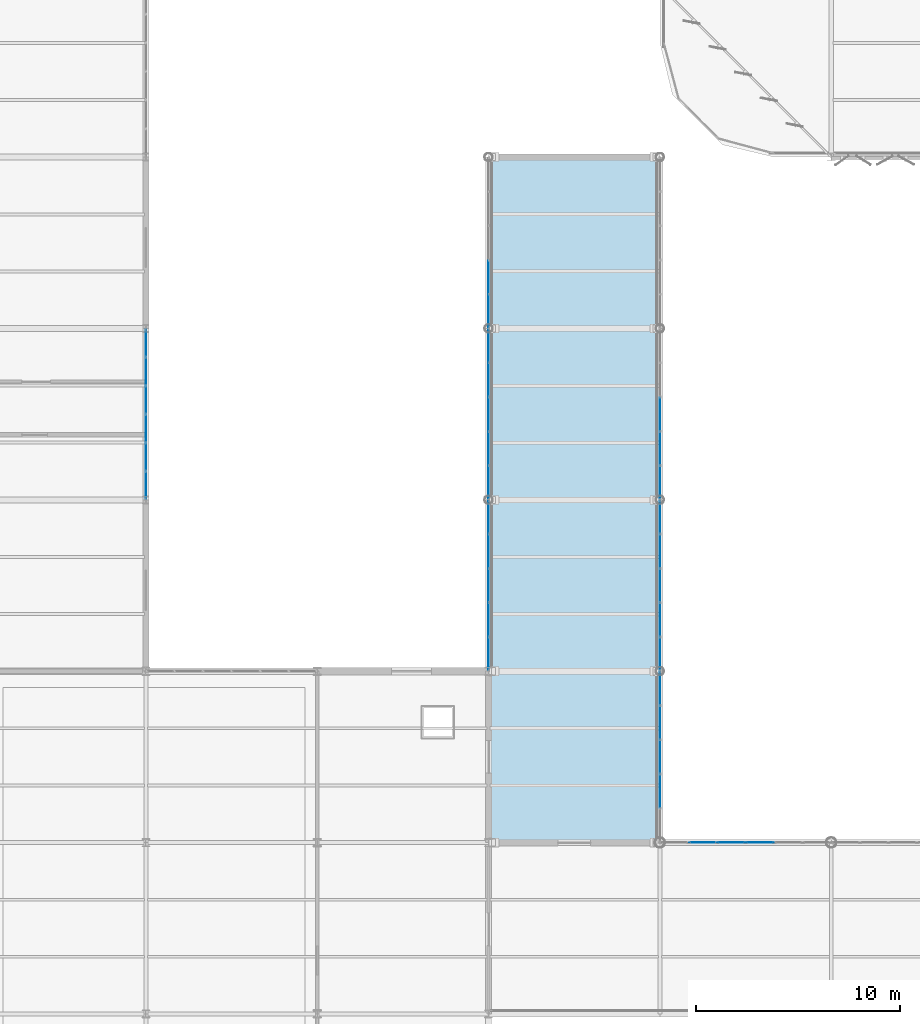
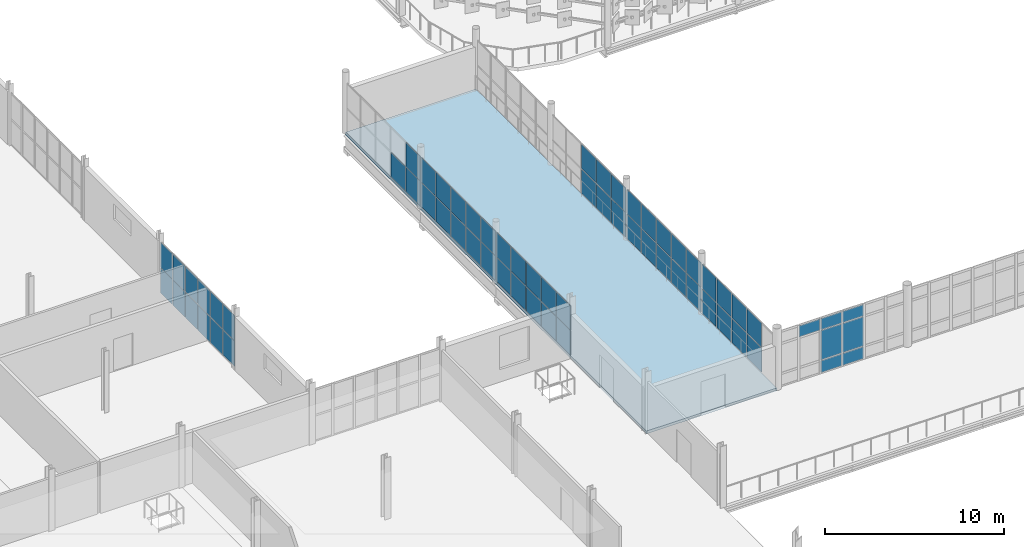
# One storey, part 114 of 163: 66 plates, 1 slab, 8 elements without a shape of their own.
"""IFC4 building model written with IfcOpenShell, lengths in metres."""

from ifc_helpers import new_model, si_unit, direction, frame, origin, origin_2d, place, context, subcontext, project, spatial, polyline, rectangle, outline, extrude, material, layer, layer_set, type_object, element, aggregate, save


model = new_model("IFC4")

# Units and contexts
model_context = context("Model", 3, precision=1e-05, world=origin(), true_north=direction((0.0, 1.0)))
body_context = subcontext(model_context, "Body", "Model", "MODEL_VIEW")
ifc_project = project(units=[si_unit("LENGTHUNIT", "METRE"), si_unit("AREAUNIT", "SQUARE_METRE"), si_unit("VOLUMEUNIT", "CUBIC_METRE"), si_unit("PLANEANGLEUNIT", "RADIAN"), si_unit("MASSUNIT", "GRAM", prefix="KILO")], contexts=[model_context])

# Site, building, storey
site_placement = place(None, origin())
site = spatial("IfcSite", under=ifc_project, at=site_placement, CompositionType="ELEMENT")
building_placement = place(site_placement, origin())
building = spatial("IfcBuilding", under=site, at=building_placement, Name="Qalvenar Corner Mobility Hub", CompositionType="ELEMENT")
storey_placement = place(building_placement, frame((0.0, 0.0, 4.800048828125)))
storey = spatial("IfcBuildingStorey", under=building, at=storey_placement, Name="L01", CompositionType="ELEMENT", Elevation=4.800048828125)

# Curtain wall, plates
ifc_material_1 = material(Name="Anodised Aluminium and Low-E Glazing", Category="aluminium")
ifc_layer_1 = layer(ifc_material_1, 0.179931640625)
ifc_layer_set_1 = layer_set([ifc_layer_1], Name="Anodised Aluminium and Low-E Glazing")
curtain_wall_type_1 = type_object("IfcCurtainWallType", Name="CW-CONC-84X42", PredefinedType="NOTDEFINED", material=ifc_layer_set_1)
curtain_wall_1_placement = place(storey_placement, origin())
curtain_wall_1 = element("IfcCurtainWall", 1, at=curtain_wall_1_placement, inside=storey, type_object=curtain_wall_type_1, Name="Glazed Curtain Wall CW-V1-L01-N1", PredefinedType="NOTDEFINED")
ifc_material_2 = material(Name="Solar-Control Low-E Double Glazing", Category="glass")
ifc_layer_2 = layer(ifc_material_2, 0.028076171875)
ifc_layer_set_2 = layer_set([ifc_layer_2], Name="Solar-Control Low-E Double Glazing")
plate_type = type_object("IfcPlateType", Name="PLT-CWP-GLZ1", PredefinedType="CURTAIN_PANEL", material=ifc_layer_set_2)
plate_1_placement = place(storey_placement, frame((63.699951171875, 33.60009765625, 0.054931640625), z_axis=(0.0, 0.0, 1.0), x_axis=(-1.0, 0.0, 0.0)))
plate_1 = element("IfcPlate", 2, at=plate_1_placement, type_object=plate_type, Name="CW-02 panel 3.1", PredefinedType="CURTAIN_PANEL", context=body_context, shape_type="SweptSolid", body=[
    extrude(rectangle(XDim=1.340087890625, YDim=0.028076171875, at=origin_2d()), origin(), (0.0, 0.0, 1.0), 0.8173828125),
])
plate_2_placement = place(storey_placement, frame((63.699951171875, 33.60009765625, 0.927490234375), z_axis=(0.0, 0.0, 1.0), x_axis=(-1.0, 0.0, 0.0)))
plate_2 = element("IfcPlate", 3, at=plate_2_placement, type_object=plate_type, Name="CW-02 panel 3.2", PredefinedType="CURTAIN_PANEL", context=body_context, shape_type="SweptSolid", body=[
    extrude(rectangle(XDim=1.340087890625, YDim=0.028076171875, at=origin_2d()), origin(), (0.0, 0.0, 1.0), 1.9951171875),
])
plate_3_placement = place(storey_placement, frame((63.699951171875, 33.60009765625, 2.977294921875), z_axis=(0.0, 0.0, 1.0), x_axis=(-1.0, 0.0, 0.0)))
plate_3 = element("IfcPlate", 4, at=plate_3_placement, type_object=plate_type, Name="CW-02 panel 3.3", PredefinedType="CURTAIN_PANEL", context=body_context, shape_type="SweptSolid", body=[
    extrude(rectangle(XDim=1.340087890625, YDim=0.028076171875, at=origin_2d()), origin(), (0.0, 0.0, 1.0), 0.767578125),
])
plate_4_placement = place(storey_placement, frame((62.300048828125, 33.60009765625, 0.054931640625), z_axis=(0.0, 0.0, 1.0), x_axis=(-1.0, 0.0, 0.0)))
plate_4 = element("IfcPlate", 5, at=plate_4_placement, type_object=plate_type, Name="CW-02 panel 4.1", PredefinedType="CURTAIN_PANEL", context=body_context, shape_type="SweptSolid", body=[
    extrude(rectangle(XDim=1.340087890625, YDim=0.028076171875, at=origin_2d()), origin(), (0.0, 0.0, 1.0), 0.8173828125),
])
plate_5_placement = place(storey_placement, frame((62.300048828125, 33.60009765625, 0.927490234375), z_axis=(0.0, 0.0, 1.0), x_axis=(-1.0, 0.0, 0.0)))
plate_5 = element("IfcPlate", 6, at=plate_5_placement, type_object=plate_type, Name="CW-02 panel 4.2", PredefinedType="CURTAIN_PANEL", context=body_context, shape_type="SweptSolid", body=[
    extrude(rectangle(XDim=1.340087890625, YDim=0.028076171875, at=origin_2d()), origin(), (0.0, 0.0, 1.0), 1.9951171875),
])
plate_6_placement = place(storey_placement, frame((62.300048828125, 33.60009765625, 2.977294921875), z_axis=(0.0, 0.0, 1.0), x_axis=(-1.0, 0.0, 0.0)))
plate_6 = element("IfcPlate", 7, at=plate_6_placement, type_object=plate_type, Name="CW-02 panel 4.3", PredefinedType="CURTAIN_PANEL", context=body_context, shape_type="SweptSolid", body=[
    extrude(rectangle(XDim=1.340087890625, YDim=0.028076171875, at=origin_2d()), origin(), (0.0, 0.0, 1.0), 0.767578125),
])
plate_7_placement = place(storey_placement, frame((60.89990234375, 33.60009765625, 2.977294921875), z_axis=(0.0, 0.0, 1.0), x_axis=(-1.0, 0.0, 0.0)))
plate_7 = element("IfcPlate", 8, at=plate_7_placement, type_object=plate_type, Name="CW-02 panel 5.3", PredefinedType="CURTAIN_PANEL", context=body_context, shape_type="SweptSolid", body=[
    extrude(rectangle(XDim=1.340087890625, YDim=0.028076171875, at=origin_2d()), origin(), (0.0, 0.0, 1.0), 0.767578125),
])
aggregate(curtain_wall_1, [plate_1, plate_2, plate_3, plate_4, plate_5, plate_6, plate_7])

ifc_layer_3 = layer(ifc_material_1, 0.14990234375)
ifc_layer_set_3 = layer_set([ifc_layer_3], Name="Anodised Aluminium and Low-E Glazing")
curtain_wall_type_2 = type_object("IfcCurtainWallType", Name="CW-CYC-84X39", PredefinedType="NOTDEFINED", material=ifc_layer_set_3)
curtain_wall_2_placement = place(storey_placement, origin())
curtain_wall_2 = element("IfcCurtainWall", 9, at=curtain_wall_2_placement, inside=storey, type_object=curtain_wall_type_2, Name="Glazed Curtain Wall CW-V5-L01-E1", PredefinedType="NOTDEFINED")
plate_8_placement = place(storey_placement, frame((33.60009765625, 51.114990234375, 0.05517578125), z_axis=(0.0, 0.0, 1.0), x_axis=(0.0, 1.0, 0.0)))
plate_8 = element("IfcPlate", 10, at=plate_8_placement, type_object=plate_type, Name="CW-08 panel 1.1", PredefinedType="CURTAIN_PANEL", context=body_context, shape_type="SweptSolid", body=[
    extrude(rectangle(XDim=1.31005859375, YDim=0.028076171875, at=origin_2d()), origin(), (0.0, 0.0, 1.0), 1.702392578125),
])
plate_9_placement = place(storey_placement, frame((33.60009765625, 51.114990234375, 1.8125), z_axis=(0.0, 0.0, 1.0), x_axis=(0.0, 1.0, 0.0)))
plate_9 = element("IfcPlate", 11, at=plate_9_placement, type_object=plate_type, Name="CW-08 panel 1.2", PredefinedType="CURTAIN_PANEL", context=body_context, shape_type="SweptSolid", body=[
    extrude(rectangle(XDim=1.31005859375, YDim=0.028076171875, at=origin_2d()), origin(), (0.0, 0.0, 1.0), 1.702392578125),
])
plate_10_placement = place(storey_placement, frame((33.60009765625, 52.5, 0.05517578125), z_axis=(0.0, 0.0, 1.0), x_axis=(0.0, 1.0, 0.0)))
plate_10 = element("IfcPlate", 12, at=plate_10_placement, type_object=plate_type, Name="CW-08 panel 2.1", PredefinedType="CURTAIN_PANEL", context=body_context, shape_type="SweptSolid", body=[
    extrude(rectangle(XDim=1.340087890625, YDim=0.028076171875, at=origin_2d()), origin(), (0.0, 0.0, 1.0), 1.702392578125),
])
plate_11_placement = place(storey_placement, frame((33.60009765625, 52.5, 1.8125), z_axis=(0.0, 0.0, 1.0), x_axis=(0.0, 1.0, 0.0)))
plate_11 = element("IfcPlate", 13, at=plate_11_placement, type_object=plate_type, Name="CW-08 panel 2.2", PredefinedType="CURTAIN_PANEL", context=body_context, shape_type="SweptSolid", body=[
    extrude(rectangle(XDim=1.340087890625, YDim=0.028076171875, at=origin_2d()), origin(), (0.0, 0.0, 1.0), 1.702392578125),
])
plate_12_placement = place(storey_placement, frame((33.60009765625, 53.89990234375, 0.05517578125), z_axis=(0.0, 0.0, 1.0), x_axis=(0.0, 1.0, 0.0)))
plate_12 = element("IfcPlate", 14, at=plate_12_placement, type_object=plate_type, Name="CW-08 panel 3.1", PredefinedType="CURTAIN_PANEL", context=body_context, shape_type="SweptSolid", body=[
    extrude(rectangle(XDim=1.340087890625, YDim=0.028076171875, at=origin_2d()), origin(), (0.0, 0.0, 1.0), 1.702392578125),
])
plate_13_placement = place(storey_placement, frame((33.60009765625, 53.89990234375, 1.8125), z_axis=(0.0, 0.0, 1.0), x_axis=(0.0, 1.0, 0.0)))
plate_13 = element("IfcPlate", 15, at=plate_13_placement, type_object=plate_type, Name="CW-08 panel 3.2", PredefinedType="CURTAIN_PANEL", context=body_context, shape_type="SweptSolid", body=[
    extrude(rectangle(XDim=1.340087890625, YDim=0.028076171875, at=origin_2d()), origin(), (0.0, 0.0, 1.0), 1.702392578125),
])
plate_14_placement = place(storey_placement, frame((33.60009765625, 55.300048828125, 0.05517578125), z_axis=(0.0, 0.0, 1.0), x_axis=(0.0, 1.0, 0.0)))
plate_14 = element("IfcPlate", 16, at=plate_14_placement, type_object=plate_type, Name="CW-08 panel 4.1", PredefinedType="CURTAIN_PANEL", context=body_context, shape_type="SweptSolid", body=[
    extrude(rectangle(XDim=1.340087890625, YDim=0.028076171875, at=origin_2d()), origin(), (0.0, 0.0, 1.0), 1.702392578125),
])
plate_15_placement = place(storey_placement, frame((33.60009765625, 55.300048828125, 1.8125), z_axis=(0.0, 0.0, 1.0), x_axis=(0.0, 1.0, 0.0)))
plate_15 = element("IfcPlate", 17, at=plate_15_placement, type_object=plate_type, Name="CW-08 panel 4.2", PredefinedType="CURTAIN_PANEL", context=body_context, shape_type="SweptSolid", body=[
    extrude(rectangle(XDim=1.340087890625, YDim=0.028076171875, at=origin_2d()), origin(), (0.0, 0.0, 1.0), 1.702392578125),
])
plate_16_placement = place(storey_placement, frame((33.60009765625, 56.699951171875, 0.05517578125), z_axis=(0.0, 0.0, 1.0), x_axis=(0.0, 1.0, 0.0)))
plate_16 = element("IfcPlate", 18, at=plate_16_placement, type_object=plate_type, Name="CW-08 panel 5.1", PredefinedType="CURTAIN_PANEL", context=body_context, shape_type="SweptSolid", body=[
    extrude(rectangle(XDim=1.340087890625, YDim=0.028076171875, at=origin_2d()), origin(), (0.0, 0.0, 1.0), 1.702392578125),
])
plate_17_placement = place(storey_placement, frame((33.60009765625, 56.699951171875, 1.8125), z_axis=(0.0, 0.0, 1.0), x_axis=(0.0, 1.0, 0.0)))
plate_17 = element("IfcPlate", 19, at=plate_17_placement, type_object=plate_type, Name="CW-08 panel 5.2", PredefinedType="CURTAIN_PANEL", context=body_context, shape_type="SweptSolid", body=[
    extrude(rectangle(XDim=1.340087890625, YDim=0.028076171875, at=origin_2d()), origin(), (0.0, 0.0, 1.0), 1.702392578125),
])
plate_18_placement = place(storey_placement, frame((33.60009765625, 58.0849609375, 0.05517578125), z_axis=(0.0, 0.0, 1.0), x_axis=(0.0, 1.0, 0.0)))
plate_18 = element("IfcPlate", 20, at=plate_18_placement, type_object=plate_type, Name="CW-08 panel 6.1", PredefinedType="CURTAIN_PANEL", context=body_context, shape_type="SweptSolid", body=[
    extrude(rectangle(XDim=1.31005859375, YDim=0.028076171875, at=origin_2d()), origin(), (0.0, 0.0, 1.0), 1.702392578125),
])
plate_19_placement = place(storey_placement, frame((33.60009765625, 58.0849609375, 1.8125), z_axis=(0.0, 0.0, 1.0), x_axis=(0.0, 1.0, 0.0)))
plate_19 = element("IfcPlate", 21, at=plate_19_placement, type_object=plate_type, Name="CW-08 panel 6.2", PredefinedType="CURTAIN_PANEL", context=body_context, shape_type="SweptSolid", body=[
    extrude(rectangle(XDim=1.31005859375, YDim=0.028076171875, at=origin_2d()), origin(), (0.0, 0.0, 1.0), 1.702392578125),
])
aggregate(curtain_wall_2, [plate_8, plate_9, plate_10, plate_11, plate_12, plate_13, plate_14, plate_15, plate_16, plate_17, plate_18, plate_19])

ifc_layer_4 = layer(ifc_material_1, 0.1201171875)
ifc_layer_set_4 = layer_set([ifc_layer_4], Name="Anodised Aluminium and Low-E Glazing")
curtain_wall_type_3 = type_object("IfcCurtainWallType", Name="CW-BRG-84X28", PredefinedType="NOTDEFINED", material=ifc_layer_set_4)
curtain_wall_3_placement = place(storey_placement, origin())
curtain_wall_3 = element("IfcCurtainWall", 22, at=curtain_wall_3_placement, inside=storey, type_object=curtain_wall_type_3, Name="Glazed Curtain Wall CW-BRG-L01-E0", PredefinedType="NOTDEFINED")
plate_20_placement = place(storey_placement, frame((58.800048828125, 36.1201171875, 0.054931640625), z_axis=(0.0, 0.0, 1.0), x_axis=(0.0, 1.0, 0.0)))
plate_20 = element("IfcPlate", 23, at=plate_20_placement, type_object=plate_type, Name="CW-11 panel 2.1", PredefinedType="CURTAIN_PANEL", context=body_context, shape_type="SweptSolid", body=[
    extrude(rectangle(XDim=1.6201171875, YDim=0.028076171875, at=origin_2d()), origin(), (0.0, 0.0, 1.0), 1.642578125),
])
plate_21_placement = place(storey_placement, frame((58.800048828125, 36.1201171875, 1.75244140625), z_axis=(0.0, 0.0, 1.0), x_axis=(0.0, 1.0, 0.0)))
plate_21 = element("IfcPlate", 24, at=plate_21_placement, type_object=plate_type, Name="CW-11 panel 2.2", PredefinedType="CURTAIN_PANEL", context=body_context, shape_type="SweptSolid", body=[
    extrude(rectangle(XDim=1.6201171875, YDim=0.028076171875, at=origin_2d()), origin(), (0.0, 0.0, 1.0), 1.642578125),
])
plate_22_placement = place(storey_placement, frame((58.800048828125, 37.800048828125, 0.054931640625), z_axis=(0.0, 0.0, 1.0), x_axis=(0.0, 1.0, 0.0)))
plate_22 = element("IfcPlate", 25, at=plate_22_placement, type_object=plate_type, Name="CW-11 panel 3.1", PredefinedType="CURTAIN_PANEL", context=body_context, shape_type="SweptSolid", body=[
    extrude(rectangle(XDim=1.6201171875, YDim=0.028076171875, at=origin_2d()), origin(), (0.0, 0.0, 1.0), 1.642578125),
])
plate_23_placement = place(storey_placement, frame((58.800048828125, 37.800048828125, 1.75244140625), z_axis=(0.0, 0.0, 1.0), x_axis=(0.0, 1.0, 0.0)))
plate_23 = element("IfcPlate", 26, at=plate_23_placement, type_object=plate_type, Name="CW-11 panel 3.2", PredefinedType="CURTAIN_PANEL", context=body_context, shape_type="SweptSolid", body=[
    extrude(rectangle(XDim=1.6201171875, YDim=0.028076171875, at=origin_2d()), origin(), (0.0, 0.0, 1.0), 1.642578125),
])
plate_24_placement = place(storey_placement, frame((58.800048828125, 39.47998046875, 0.054931640625), z_axis=(0.0, 0.0, 1.0), x_axis=(0.0, 1.0, 0.0)))
plate_24 = element("IfcPlate", 27, at=plate_24_placement, type_object=plate_type, Name="CW-11 panel 4.1", PredefinedType="CURTAIN_PANEL", context=body_context, shape_type="SweptSolid", body=[
    extrude(rectangle(XDim=1.6201171875, YDim=0.028076171875, at=origin_2d()), origin(), (0.0, 0.0, 1.0), 1.642578125),
])
plate_25_placement = place(storey_placement, frame((58.800048828125, 39.47998046875, 1.75244140625), z_axis=(0.0, 0.0, 1.0), x_axis=(0.0, 1.0, 0.0)))
plate_25 = element("IfcPlate", 28, at=plate_25_placement, type_object=plate_type, Name="CW-11 panel 4.2", PredefinedType="CURTAIN_PANEL", context=body_context, shape_type="SweptSolid", body=[
    extrude(rectangle(XDim=1.6201171875, YDim=0.028076171875, at=origin_2d()), origin(), (0.0, 0.0, 1.0), 1.642578125),
])
plate_26_placement = place(storey_placement, frame((58.800048828125, 41.14501953125, 0.054931640625), z_axis=(0.0, 0.0, 1.0), x_axis=(0.0, 1.0, 0.0)))
plate_26 = element("IfcPlate", 29, at=plate_26_placement, type_object=plate_type, Name="CW-11 panel 5.1", PredefinedType="CURTAIN_PANEL", context=body_context, shape_type="SweptSolid", body=[
    extrude(rectangle(XDim=1.590087890625, YDim=0.028076171875, at=origin_2d()), origin(), (0.0, 0.0, 1.0), 1.642578125),
])
plate_27_placement = place(storey_placement, frame((58.800048828125, 41.14501953125, 1.75244140625), z_axis=(0.0, 0.0, 1.0), x_axis=(0.0, 1.0, 0.0)))
plate_27 = element("IfcPlate", 30, at=plate_27_placement, type_object=plate_type, Name="CW-11 panel 5.2", PredefinedType="CURTAIN_PANEL", context=body_context, shape_type="SweptSolid", body=[
    extrude(rectangle(XDim=1.590087890625, YDim=0.028076171875, at=origin_2d()), origin(), (0.0, 0.0, 1.0), 1.642578125),
])
aggregate(curtain_wall_3, [plate_20, plate_21, plate_22, plate_23, plate_24, plate_25, plate_26, plate_27])

curtain_wall_4_placement = place(storey_placement, origin())
curtain_wall_4 = element("IfcCurtainWall", 31, at=curtain_wall_4_placement, inside=storey, type_object=curtain_wall_type_3, Name="Glazed Curtain Wall CW-BRG-L01-W1", PredefinedType="NOTDEFINED")
plate_28_placement = place(storey_placement, frame((50.39990234375, 49.544921875, 0.054931640625), z_axis=(0.0, 0.0, 1.0), x_axis=(0.0, -1.0, 0.0)))
plate_28 = element("IfcPlate", 32, at=plate_28_placement, type_object=plate_type, Name="CW-11 panel 1.1", PredefinedType="CURTAIN_PANEL", context=body_context, shape_type="SweptSolid", body=[
    extrude(rectangle(XDim=1.590087890625, YDim=0.028076171875, at=origin_2d()), origin(), (0.0, 0.0, 1.0), 1.642578125),
])
plate_29_placement = place(storey_placement, frame((50.39990234375, 49.544921875, 1.75244140625), z_axis=(0.0, 0.0, 1.0), x_axis=(0.0, -1.0, 0.0)))
plate_29 = element("IfcPlate", 33, at=plate_29_placement, type_object=plate_type, Name="CW-11 panel 1.2", PredefinedType="CURTAIN_PANEL", context=body_context, shape_type="SweptSolid", body=[
    extrude(rectangle(XDim=1.590087890625, YDim=0.028076171875, at=origin_2d()), origin(), (0.0, 0.0, 1.0), 1.642578125),
])
plate_30_placement = place(storey_placement, frame((50.39990234375, 47.8798828125, 0.054931640625), z_axis=(0.0, 0.0, 1.0), x_axis=(0.0, -1.0, 0.0)))
plate_30 = element("IfcPlate", 34, at=plate_30_placement, type_object=plate_type, Name="CW-11 panel 2.1", PredefinedType="CURTAIN_PANEL", context=body_context, shape_type="SweptSolid", body=[
    extrude(rectangle(XDim=1.6201171875, YDim=0.028076171875, at=origin_2d()), origin(), (0.0, 0.0, 1.0), 1.642578125),
])
plate_31_placement = place(storey_placement, frame((50.39990234375, 47.8798828125, 1.75244140625), z_axis=(0.0, 0.0, 1.0), x_axis=(0.0, -1.0, 0.0)))
plate_31 = element("IfcPlate", 35, at=plate_31_placement, type_object=plate_type, Name="CW-11 panel 2.2", PredefinedType="CURTAIN_PANEL", context=body_context, shape_type="SweptSolid", body=[
    extrude(rectangle(XDim=1.6201171875, YDim=0.028076171875, at=origin_2d()), origin(), (0.0, 0.0, 1.0), 1.642578125),
])
plate_32_placement = place(storey_placement, frame((50.39990234375, 46.199951171875, 0.054931640625), z_axis=(0.0, 0.0, 1.0), x_axis=(0.0, -1.0, 0.0)))
plate_32 = element("IfcPlate", 36, at=plate_32_placement, type_object=plate_type, Name="CW-11 panel 3.1", PredefinedType="CURTAIN_PANEL", context=body_context, shape_type="SweptSolid", body=[
    extrude(rectangle(XDim=1.6201171875, YDim=0.028076171875, at=origin_2d()), origin(), (0.0, 0.0, 1.0), 1.642578125),
])
plate_33_placement = place(storey_placement, frame((50.39990234375, 46.199951171875, 1.75244140625), z_axis=(0.0, 0.0, 1.0), x_axis=(0.0, -1.0, 0.0)))
plate_33 = element("IfcPlate", 37, at=plate_33_placement, type_object=plate_type, Name="CW-11 panel 3.2", PredefinedType="CURTAIN_PANEL", context=body_context, shape_type="SweptSolid", body=[
    extrude(rectangle(XDim=1.6201171875, YDim=0.028076171875, at=origin_2d()), origin(), (0.0, 0.0, 1.0), 1.642578125),
])
plate_34_placement = place(storey_placement, frame((50.39990234375, 44.52001953125, 0.054931640625), z_axis=(0.0, 0.0, 1.0), x_axis=(0.0, -1.0, 0.0)))
plate_34 = element("IfcPlate", 38, at=plate_34_placement, type_object=plate_type, Name="CW-11 panel 4.1", PredefinedType="CURTAIN_PANEL", context=body_context, shape_type="SweptSolid", body=[
    extrude(rectangle(XDim=1.6201171875, YDim=0.028076171875, at=origin_2d()), origin(), (0.0, 0.0, 1.0), 1.642578125),
])
plate_35_placement = place(storey_placement, frame((50.39990234375, 44.52001953125, 1.75244140625), z_axis=(0.0, 0.0, 1.0), x_axis=(0.0, -1.0, 0.0)))
plate_35 = element("IfcPlate", 39, at=plate_35_placement, type_object=plate_type, Name="CW-11 panel 4.2", PredefinedType="CURTAIN_PANEL", context=body_context, shape_type="SweptSolid", body=[
    extrude(rectangle(XDim=1.6201171875, YDim=0.028076171875, at=origin_2d()), origin(), (0.0, 0.0, 1.0), 1.642578125),
])
plate_36_placement = place(storey_placement, frame((50.39990234375, 42.85498046875, 0.054931640625), z_axis=(0.0, 0.0, 1.0), x_axis=(0.0, -1.0, 0.0)))
plate_36 = element("IfcPlate", 40, at=plate_36_placement, type_object=plate_type, Name="CW-11 panel 5.1", PredefinedType="CURTAIN_PANEL", context=body_context, shape_type="SweptSolid", body=[
    extrude(rectangle(XDim=1.590087890625, YDim=0.028076171875, at=origin_2d()), origin(), (0.0, 0.0, 1.0), 1.642578125),
])
plate_37_placement = place(storey_placement, frame((50.39990234375, 42.85498046875, 1.75244140625), z_axis=(0.0, 0.0, 1.0), x_axis=(0.0, -1.0, 0.0)))
plate_37 = element("IfcPlate", 41, at=plate_37_placement, type_object=plate_type, Name="CW-11 panel 5.2", PredefinedType="CURTAIN_PANEL", context=body_context, shape_type="SweptSolid", body=[
    extrude(rectangle(XDim=1.590087890625, YDim=0.028076171875, at=origin_2d()), origin(), (0.0, 0.0, 1.0), 1.642578125),
])
aggregate(curtain_wall_4, [plate_28, plate_29, plate_30, plate_31, plate_32, plate_33, plate_34, plate_35, plate_36, plate_37])

curtain_wall_5_placement = place(storey_placement, origin())
curtain_wall_5 = element("IfcCurtainWall", 42, at=curtain_wall_5_placement, inside=storey, type_object=curtain_wall_type_3, Name="Glazed Curtain Wall CW-BRG-L01-E1", PredefinedType="NOTDEFINED")
plate_38_placement = place(storey_placement, frame((58.800048828125, 42.85498046875, 0.054931640625), z_axis=(0.0, 0.0, 1.0), x_axis=(0.0, 1.0, 0.0)))
plate_38 = element("IfcPlate", 43, at=plate_38_placement, type_object=plate_type, Name="CW-11 panel 1.1", PredefinedType="CURTAIN_PANEL", context=body_context, shape_type="SweptSolid", body=[
    extrude(rectangle(XDim=1.590087890625, YDim=0.028076171875, at=origin_2d()), origin(), (0.0, 0.0, 1.0), 1.642578125),
])
plate_39_placement = place(storey_placement, frame((58.800048828125, 42.85498046875, 1.75244140625), z_axis=(0.0, 0.0, 1.0), x_axis=(0.0, 1.0, 0.0)))
plate_39 = element("IfcPlate", 44, at=plate_39_placement, type_object=plate_type, Name="CW-11 panel 1.2", PredefinedType="CURTAIN_PANEL", context=body_context, shape_type="SweptSolid", body=[
    extrude(rectangle(XDim=1.590087890625, YDim=0.028076171875, at=origin_2d()), origin(), (0.0, 0.0, 1.0), 1.642578125),
])
plate_40_placement = place(storey_placement, frame((58.800048828125, 44.52001953125, 0.054931640625), z_axis=(0.0, 0.0, 1.0), x_axis=(0.0, 1.0, 0.0)))
plate_40 = element("IfcPlate", 45, at=plate_40_placement, type_object=plate_type, Name="CW-11 panel 2.1", PredefinedType="CURTAIN_PANEL", context=body_context, shape_type="SweptSolid", body=[
    extrude(rectangle(XDim=1.6201171875, YDim=0.028076171875, at=origin_2d()), origin(), (0.0, 0.0, 1.0), 1.642578125),
])
plate_41_placement = place(storey_placement, frame((58.800048828125, 44.52001953125, 1.75244140625), z_axis=(0.0, 0.0, 1.0), x_axis=(0.0, 1.0, 0.0)))
plate_41 = element("IfcPlate", 46, at=plate_41_placement, type_object=plate_type, Name="CW-11 panel 2.2", PredefinedType="CURTAIN_PANEL", context=body_context, shape_type="SweptSolid", body=[
    extrude(rectangle(XDim=1.6201171875, YDim=0.028076171875, at=origin_2d()), origin(), (0.0, 0.0, 1.0), 1.642578125),
])
plate_42_placement = place(storey_placement, frame((58.800048828125, 46.199951171875, 0.054931640625), z_axis=(0.0, 0.0, 1.0), x_axis=(0.0, 1.0, 0.0)))
plate_42 = element("IfcPlate", 47, at=plate_42_placement, type_object=plate_type, Name="CW-11 panel 3.1", PredefinedType="CURTAIN_PANEL", context=body_context, shape_type="SweptSolid", body=[
    extrude(rectangle(XDim=1.6201171875, YDim=0.028076171875, at=origin_2d()), origin(), (0.0, 0.0, 1.0), 1.642578125),
])
plate_43_placement = place(storey_placement, frame((58.800048828125, 46.199951171875, 1.75244140625), z_axis=(0.0, 0.0, 1.0), x_axis=(0.0, 1.0, 0.0)))
plate_43 = element("IfcPlate", 48, at=plate_43_placement, type_object=plate_type, Name="CW-11 panel 3.2", PredefinedType="CURTAIN_PANEL", context=body_context, shape_type="SweptSolid", body=[
    extrude(rectangle(XDim=1.6201171875, YDim=0.028076171875, at=origin_2d()), origin(), (0.0, 0.0, 1.0), 1.642578125),
])
plate_44_placement = place(storey_placement, frame((58.800048828125, 47.8798828125, 0.054931640625), z_axis=(0.0, 0.0, 1.0), x_axis=(0.0, 1.0, 0.0)))
plate_44 = element("IfcPlate", 49, at=plate_44_placement, type_object=plate_type, Name="CW-11 panel 4.1", PredefinedType="CURTAIN_PANEL", context=body_context, shape_type="SweptSolid", body=[
    extrude(rectangle(XDim=1.6201171875, YDim=0.028076171875, at=origin_2d()), origin(), (0.0, 0.0, 1.0), 1.642578125),
])
plate_45_placement = place(storey_placement, frame((58.800048828125, 47.8798828125, 1.75244140625), z_axis=(0.0, 0.0, 1.0), x_axis=(0.0, 1.0, 0.0)))
plate_45 = element("IfcPlate", 50, at=plate_45_placement, type_object=plate_type, Name="CW-11 panel 4.2", PredefinedType="CURTAIN_PANEL", context=body_context, shape_type="SweptSolid", body=[
    extrude(rectangle(XDim=1.6201171875, YDim=0.028076171875, at=origin_2d()), origin(), (0.0, 0.0, 1.0), 1.642578125),
])
plate_46_placement = place(storey_placement, frame((58.800048828125, 49.544921875, 0.054931640625), z_axis=(0.0, 0.0, 1.0), x_axis=(0.0, 1.0, 0.0)))
plate_46 = element("IfcPlate", 51, at=plate_46_placement, type_object=plate_type, Name="CW-11 panel 5.1", PredefinedType="CURTAIN_PANEL", context=body_context, shape_type="SweptSolid", body=[
    extrude(rectangle(XDim=1.590087890625, YDim=0.028076171875, at=origin_2d()), origin(), (0.0, 0.0, 1.0), 1.642578125),
])
plate_47_placement = place(storey_placement, frame((58.800048828125, 49.544921875, 1.75244140625), z_axis=(0.0, 0.0, 1.0), x_axis=(0.0, 1.0, 0.0)))
plate_47 = element("IfcPlate", 52, at=plate_47_placement, type_object=plate_type, Name="CW-11 panel 5.2", PredefinedType="CURTAIN_PANEL", context=body_context, shape_type="SweptSolid", body=[
    extrude(rectangle(XDim=1.590087890625, YDim=0.028076171875, at=origin_2d()), origin(), (0.0, 0.0, 1.0), 1.642578125),
])
aggregate(curtain_wall_5, [plate_38, plate_39, plate_40, plate_41, plate_42, plate_43, plate_44, plate_45, plate_46, plate_47])

curtain_wall_6_placement = place(storey_placement, origin())
curtain_wall_6 = element("IfcCurtainWall", 53, at=curtain_wall_6_placement, inside=storey, type_object=curtain_wall_type_3, Name="Glazed Curtain Wall CW-BRG-L01-W2", PredefinedType="NOTDEFINED")
plate_48_placement = place(storey_placement, frame((50.39990234375, 57.945068359375, 0.054931640625), z_axis=(0.0, 0.0, 1.0), x_axis=(0.0, -1.0, 0.0)))
plate_48 = element("IfcPlate", 54, at=plate_48_placement, type_object=plate_type, Name="CW-11 panel 1.1", PredefinedType="CURTAIN_PANEL", context=body_context, shape_type="SweptSolid", body=[
    extrude(rectangle(XDim=1.590087890625, YDim=0.028076171875, at=origin_2d()), origin(), (0.0, 0.0, 1.0), 1.642578125),
])
plate_49_placement = place(storey_placement, frame((50.39990234375, 57.945068359375, 1.75244140625), z_axis=(0.0, 0.0, 1.0), x_axis=(0.0, -1.0, 0.0)))
plate_49 = element("IfcPlate", 55, at=plate_49_placement, type_object=plate_type, Name="CW-11 panel 1.2", PredefinedType="CURTAIN_PANEL", context=body_context, shape_type="SweptSolid", body=[
    extrude(rectangle(XDim=1.590087890625, YDim=0.028076171875, at=origin_2d()), origin(), (0.0, 0.0, 1.0), 1.642578125),
])
plate_50_placement = place(storey_placement, frame((50.39990234375, 56.280029296875, 0.054931640625), z_axis=(0.0, 0.0, 1.0), x_axis=(0.0, -1.0, 0.0)))
plate_50 = element("IfcPlate", 56, at=plate_50_placement, type_object=plate_type, Name="CW-11 panel 2.1", PredefinedType="CURTAIN_PANEL", context=body_context, shape_type="SweptSolid", body=[
    extrude(rectangle(XDim=1.6201171875, YDim=0.028076171875, at=origin_2d()), origin(), (0.0, 0.0, 1.0), 1.642578125),
])
plate_51_placement = place(storey_placement, frame((50.39990234375, 56.280029296875, 1.75244140625), z_axis=(0.0, 0.0, 1.0), x_axis=(0.0, -1.0, 0.0)))
plate_51 = element("IfcPlate", 57, at=plate_51_placement, type_object=plate_type, Name="CW-11 panel 2.2", PredefinedType="CURTAIN_PANEL", context=body_context, shape_type="SweptSolid", body=[
    extrude(rectangle(XDim=1.6201171875, YDim=0.028076171875, at=origin_2d()), origin(), (0.0, 0.0, 1.0), 1.642578125),
])
plate_52_placement = place(storey_placement, frame((50.39990234375, 54.60009765625, 0.054931640625), z_axis=(0.0, 0.0, 1.0), x_axis=(0.0, -1.0, 0.0)))
plate_52 = element("IfcPlate", 58, at=plate_52_placement, type_object=plate_type, Name="CW-11 panel 3.1", PredefinedType="CURTAIN_PANEL", context=body_context, shape_type="SweptSolid", body=[
    extrude(rectangle(XDim=1.6201171875, YDim=0.028076171875, at=origin_2d()), origin(), (0.0, 0.0, 1.0), 1.642578125),
])
plate_53_placement = place(storey_placement, frame((50.39990234375, 54.60009765625, 1.75244140625), z_axis=(0.0, 0.0, 1.0), x_axis=(0.0, -1.0, 0.0)))
plate_53 = element("IfcPlate", 59, at=plate_53_placement, type_object=plate_type, Name="CW-11 panel 3.2", PredefinedType="CURTAIN_PANEL", context=body_context, shape_type="SweptSolid", body=[
    extrude(rectangle(XDim=1.6201171875, YDim=0.028076171875, at=origin_2d()), origin(), (0.0, 0.0, 1.0), 1.642578125),
])
plate_54_placement = place(storey_placement, frame((50.39990234375, 52.919921875, 0.054931640625), z_axis=(0.0, 0.0, 1.0), x_axis=(0.0, -1.0, 0.0)))
plate_54 = element("IfcPlate", 60, at=plate_54_placement, type_object=plate_type, Name="CW-11 panel 4.1", PredefinedType="CURTAIN_PANEL", context=body_context, shape_type="SweptSolid", body=[
    extrude(rectangle(XDim=1.6201171875, YDim=0.028076171875, at=origin_2d()), origin(), (0.0, 0.0, 1.0), 1.642578125),
])
plate_55_placement = place(storey_placement, frame((50.39990234375, 52.919921875, 1.75244140625), z_axis=(0.0, 0.0, 1.0), x_axis=(0.0, -1.0, 0.0)))
plate_55 = element("IfcPlate", 61, at=plate_55_placement, type_object=plate_type, Name="CW-11 panel 4.2", PredefinedType="CURTAIN_PANEL", context=body_context, shape_type="SweptSolid", body=[
    extrude(rectangle(XDim=1.6201171875, YDim=0.028076171875, at=origin_2d()), origin(), (0.0, 0.0, 1.0), 1.642578125),
])
plate_56_placement = place(storey_placement, frame((50.39990234375, 51.2548828125, 0.054931640625), z_axis=(0.0, 0.0, 1.0), x_axis=(0.0, -1.0, 0.0)))
plate_56 = element("IfcPlate", 62, at=plate_56_placement, type_object=plate_type, Name="CW-11 panel 5.1", PredefinedType="CURTAIN_PANEL", context=body_context, shape_type="SweptSolid", body=[
    extrude(rectangle(XDim=1.590087890625, YDim=0.028076171875, at=origin_2d()), origin(), (0.0, 0.0, 1.0), 1.642578125),
])
plate_57_placement = place(storey_placement, frame((50.39990234375, 51.2548828125, 1.75244140625), z_axis=(0.0, 0.0, 1.0), x_axis=(0.0, -1.0, 0.0)))
plate_57 = element("IfcPlate", 63, at=plate_57_placement, type_object=plate_type, Name="CW-11 panel 5.2", PredefinedType="CURTAIN_PANEL", context=body_context, shape_type="SweptSolid", body=[
    extrude(rectangle(XDim=1.590087890625, YDim=0.028076171875, at=origin_2d()), origin(), (0.0, 0.0, 1.0), 1.642578125),
])
aggregate(curtain_wall_6, [plate_48, plate_49, plate_50, plate_51, plate_52, plate_53, plate_54, plate_55, plate_56, plate_57])

curtain_wall_7_placement = place(storey_placement, origin())
curtain_wall_7 = element("IfcCurtainWall", 64, at=curtain_wall_7_placement, inside=storey, type_object=curtain_wall_type_3, Name="Glazed Curtain Wall CW-BRG-L01-E2", PredefinedType="NOTDEFINED")
plate_58_placement = place(storey_placement, frame((58.800048828125, 51.2548828125, 0.054931640625), z_axis=(0.0, 0.0, 1.0), x_axis=(0.0, 1.0, 0.0)))
plate_58 = element("IfcPlate", 65, at=plate_58_placement, type_object=plate_type, Name="CW-11 panel 1.1", PredefinedType="CURTAIN_PANEL", context=body_context, shape_type="SweptSolid", body=[
    extrude(rectangle(XDim=1.590087890625, YDim=0.028076171875, at=origin_2d()), origin(), (0.0, 0.0, 1.0), 1.642578125),
])
plate_59_placement = place(storey_placement, frame((58.800048828125, 51.2548828125, 1.75244140625), z_axis=(0.0, 0.0, 1.0), x_axis=(0.0, 1.0, 0.0)))
plate_59 = element("IfcPlate", 66, at=plate_59_placement, type_object=plate_type, Name="CW-11 panel 1.2", PredefinedType="CURTAIN_PANEL", context=body_context, shape_type="SweptSolid", body=[
    extrude(rectangle(XDim=1.590087890625, YDim=0.028076171875, at=origin_2d()), origin(), (0.0, 0.0, 1.0), 1.642578125),
])
plate_60_placement = place(storey_placement, frame((58.800048828125, 52.919921875, 0.054931640625), z_axis=(0.0, 0.0, 1.0), x_axis=(0.0, 1.0, 0.0)))
plate_60 = element("IfcPlate", 67, at=plate_60_placement, type_object=plate_type, Name="CW-11 panel 2.1", PredefinedType="CURTAIN_PANEL", context=body_context, shape_type="SweptSolid", body=[
    extrude(rectangle(XDim=1.6201171875, YDim=0.028076171875, at=origin_2d()), origin(), (0.0, 0.0, 1.0), 1.642578125),
])
plate_61_placement = place(storey_placement, frame((58.800048828125, 52.919921875, 1.75244140625), z_axis=(0.0, 0.0, 1.0), x_axis=(0.0, 1.0, 0.0)))
plate_61 = element("IfcPlate", 68, at=plate_61_placement, type_object=plate_type, Name="CW-11 panel 2.2", PredefinedType="CURTAIN_PANEL", context=body_context, shape_type="SweptSolid", body=[
    extrude(rectangle(XDim=1.6201171875, YDim=0.028076171875, at=origin_2d()), origin(), (0.0, 0.0, 1.0), 1.642578125),
])
plate_62_placement = place(storey_placement, frame((58.800048828125, 54.60009765625, 0.054931640625), z_axis=(0.0, 0.0, 1.0), x_axis=(0.0, 1.0, 0.0)))
plate_62 = element("IfcPlate", 69, at=plate_62_placement, type_object=plate_type, Name="CW-11 panel 3.1", PredefinedType="CURTAIN_PANEL", context=body_context, shape_type="SweptSolid", body=[
    extrude(rectangle(XDim=1.6201171875, YDim=0.028076171875, at=origin_2d()), origin(), (0.0, 0.0, 1.0), 1.642578125),
])
plate_63_placement = place(storey_placement, frame((58.800048828125, 54.60009765625, 1.75244140625), z_axis=(0.0, 0.0, 1.0), x_axis=(0.0, 1.0, 0.0)))
plate_63 = element("IfcPlate", 70, at=plate_63_placement, type_object=plate_type, Name="CW-11 panel 3.2", PredefinedType="CURTAIN_PANEL", context=body_context, shape_type="SweptSolid", body=[
    extrude(rectangle(XDim=1.6201171875, YDim=0.028076171875, at=origin_2d()), origin(), (0.0, 0.0, 1.0), 1.642578125),
])
aggregate(curtain_wall_7, [plate_58, plate_59, plate_60, plate_61, plate_62, plate_63])

curtain_wall_8_placement = place(storey_placement, origin())
curtain_wall_8 = element("IfcCurtainWall", 71, at=curtain_wall_8_placement, inside=storey, type_object=curtain_wall_type_3, Name="Glazed Curtain Wall CW-BRG-L01-W3", PredefinedType="NOTDEFINED")
plate_64_placement = place(storey_placement, frame((50.39990234375, 61.320068359375, 0.054931640625), z_axis=(0.0, 0.0, 1.0), x_axis=(0.0, -1.0, 0.0)))
plate_64 = element("IfcPlate", 72, at=plate_64_placement, type_object=plate_type, Name="CW-11 panel 4.1", PredefinedType="CURTAIN_PANEL", context=body_context, shape_type="SweptSolid", body=[
    extrude(rectangle(XDim=1.6201171875, YDim=0.028076171875, at=origin_2d()), origin(), (0.0, 0.0, 1.0), 1.642578125),
])
plate_65_placement = place(storey_placement, frame((50.39990234375, 59.655029296875, 0.054931640625), z_axis=(0.0, 0.0, 1.0), x_axis=(0.0, -1.0, 0.0)))
plate_65 = element("IfcPlate", 73, at=plate_65_placement, type_object=plate_type, Name="CW-11 panel 5.1", PredefinedType="CURTAIN_PANEL", context=body_context, shape_type="SweptSolid", body=[
    extrude(rectangle(XDim=1.590087890625, YDim=0.028076171875, at=origin_2d()), origin(), (0.0, 0.0, 1.0), 1.642578125),
])
plate_66_placement = place(storey_placement, frame((50.39990234375, 59.655029296875, 1.75244140625), z_axis=(0.0, 0.0, 1.0), x_axis=(0.0, -1.0, 0.0)))
plate_66 = element("IfcPlate", 74, at=plate_66_placement, type_object=plate_type, Name="CW-11 panel 5.2", PredefinedType="CURTAIN_PANEL", context=body_context, shape_type="SweptSolid", body=[
    extrude(rectangle(XDim=1.590087890625, YDim=0.028076171875, at=origin_2d()), origin(), (0.0, 0.0, 1.0), 1.642578125),
])
aggregate(curtain_wall_8, [plate_64, plate_65, plate_66])

# Slab
ifc_material_3 = material(Name="Concrete C35/45", Category="concrete")
ifc_layer_5 = layer(ifc_material_3, 0.18994140625)
ifc_layer_set_5 = layer_set([ifc_layer_5], Name="Concrete C35/45")
slab_type = type_object("IfcSlabType", Name="SLB-BRG190", PredefinedType="FLOOR", material=ifc_layer_set_5)
slab_placement = place(storey_placement, frame((0.0, 0.0, -0.18994140625)))
element("IfcSlab", 75, at=slab_placement, inside=storey, type_object=slab_type, Name="Composite Slab BRG-A-L01", PredefinedType="FLOOR", context=body_context, shape_type="SweptSolid", body=[
    extrude(outline(polyline([(50.39990234375, 33.60009765625), (58.800048828125, 33.60009765625), (58.800048828125, 67.199951171875), (50.39990234375, 67.199951171875), (50.39990234375, 33.60009765625)])), origin(), (0.0, 0.0, 1.0), 0.18994140625),
])

save(model, "model.ifc")
